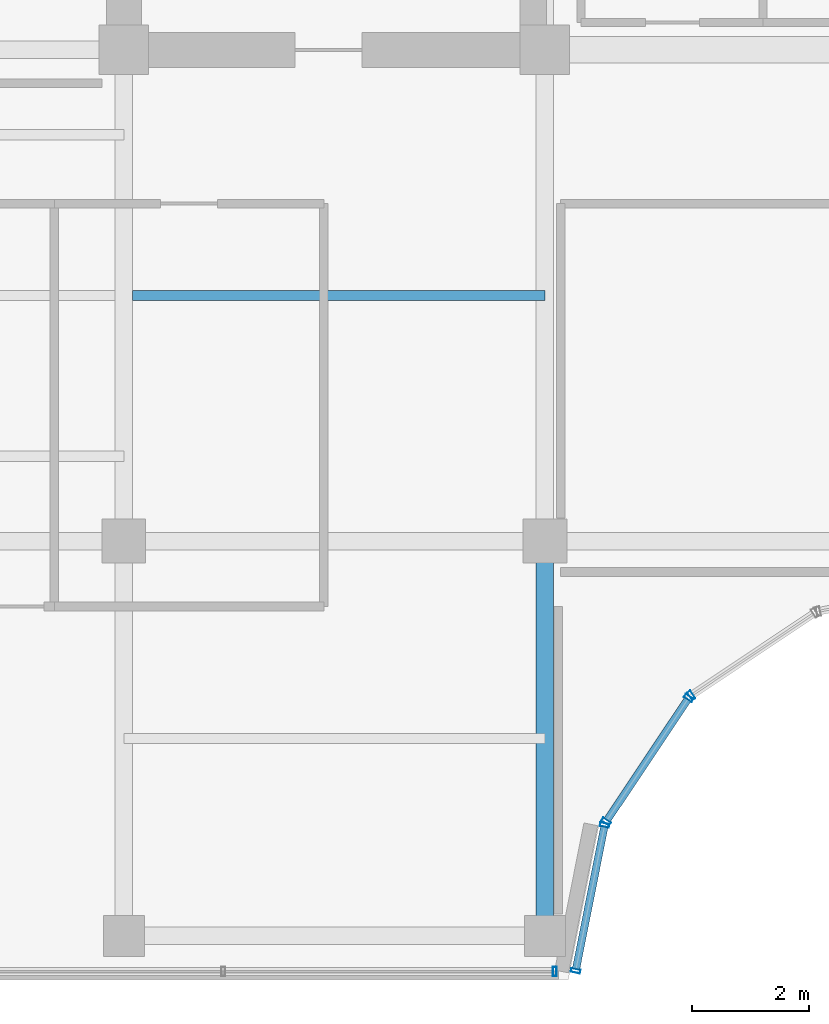
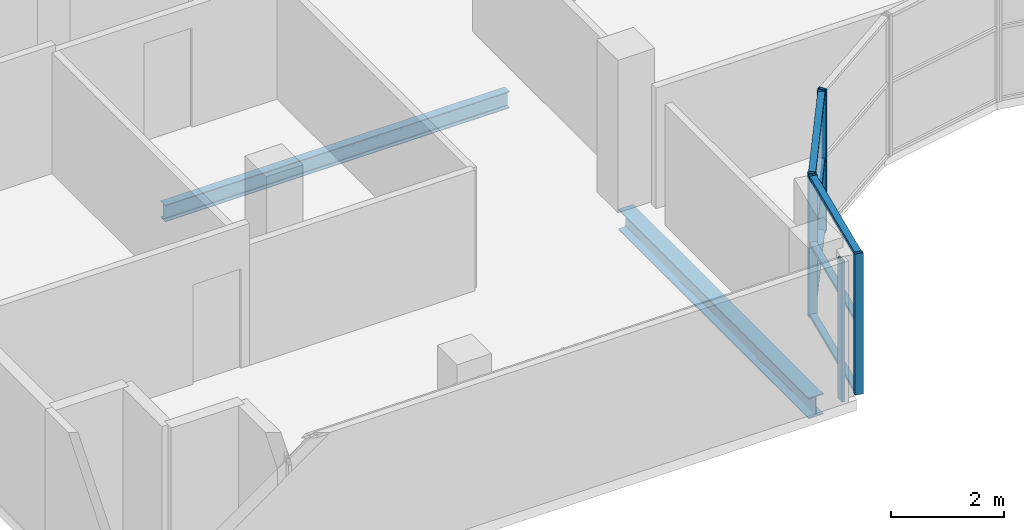
# One storey, part 5 of 28: 12 members, 2 beams, 4 elements without a shape of their own.
"""IFC4 building model written with IfcOpenShell, lengths in metres."""

from ifc_helpers import new_model, si_unit, direction, frame, origin, origin_2d, place, context, subcontext, project, spatial, hollow_rectangle, i_section, extrude, source, transform, mapped, material, layer, layer_set, material_profile, profile_set, type_object, element, aggregate, save


model = new_model("IFC4")

# Units and contexts
model_context = context("Model", 3, precision=1e-05, world=origin(), true_north=direction((0.0, 1.0)))
body_context = subcontext(model_context, "Body", "Model", "MODEL_VIEW")
ifc_project = project(units=[si_unit("LENGTHUNIT", "METRE"), si_unit("AREAUNIT", "SQUARE_METRE"), si_unit("VOLUMEUNIT", "CUBIC_METRE"), si_unit("PLANEANGLEUNIT", "RADIAN"), si_unit("MASSUNIT", "GRAM", prefix="KILO")], contexts=[model_context])

# Site, building, storey
site_placement = place(None, origin())
site = spatial("IfcSite", under=ifc_project, at=site_placement, CompositionType="ELEMENT")
building_placement = place(site_placement, origin())
building = spatial("IfcBuilding", under=site, at=building_placement, Name="Zarnakvel Exchange Tower", CompositionType="ELEMENT")
storey_placement = place(building_placement, frame((0.0, 0.0, 261.699951171875)))
storey = spatial("IfcBuildingStorey", under=building, at=storey_placement, Name="L74", CompositionType="ELEMENT", Elevation=261.699951171875)

# Beams
ifc_material_1 = material(Name="Steel S355", Category="steel")
ifc_material_profile_1 = material_profile(ifc_material_1, i_section(OverallWidth=0.169921875, OverallDepth=0.360107421875, WebThickness=0.008056640625, FlangeThickness=0.0126953125, FilletRadius=0.01806640625, at=origin_2d()))
ifc_profile_set_1 = profile_set([ifc_material_profile_1], Name="Steel S355")
beam_type_1 = type_object("IfcBeamType", Name="B-07", PredefinedType="JOIST", material=ifc_profile_set_1)
beam_1_placement = place(storey_placement, frame((-14.25, -5.39990234375, -0.405029296875), z_axis=(1.0, 0.0, 0.0), x_axis=(0.0, 1.0, 0.0)))
element("IfcBeam", 1, at=beam_1_placement, inside=storey, type_object=beam_type_1, Name="L74 Composite Floor Secondary Joist", PredefinedType="JOIST", context=body_context, shape_type="SweptSolid", body=[
    extrude(i_section(OverallWidth=0.169921875, OverallDepth=0.360107421875, WebThickness=0.008056640625, FlangeThickness=0.0126953125, FilletRadius=0.01806640625, at=origin_2d()), origin(), (0.0, 0.0, 1.0), 7.050048828125),
])
ifc_material_profile_2 = material_profile(ifc_material_1, i_section(OverallWidth=0.300048828125, OverallDepth=0.449951171875, WebThickness=0.013916015625, FlangeThickness=0.02587890625, FilletRadius=0.027099609375, at=origin_2d()))
ifc_profile_set_2 = profile_set([ifc_material_profile_2], Name="Steel S355")
beam_type_2 = type_object("IfcBeamType", Name="G-07", PredefinedType="BEAM", material=ifc_profile_set_2)
beam_2_placement = place(storey_placement, frame((-7.199951171875, -16.35009765625, -0.449951171875), z_axis=(0.0, 1.0, 0.0), x_axis=(-1.0, 0.0, 0.0)))
element("IfcBeam", 2, at=beam_2_placement, inside=storey, type_object=beam_type_2, Name="L74 Tower N-S Frame Beam", PredefinedType="BEAM", context=body_context, shape_type="SweptSolid", body=[
    extrude(i_section(OverallWidth=0.300048828125, OverallDepth=0.449951171875, WebThickness=0.013916015625, FlangeThickness=0.02587890625, FilletRadius=0.027099609375, at=origin_2d()), origin(), (0.0, 0.0, 1.0), 6.75),
])

# Curtain wall, members
ifc_material_2 = material(Name="Architectural Bronze Anodised Aluminium", Category="aluminium")
ifc_layer = layer(ifc_material_2, 0.159912109375)
ifc_layer_set = layer_set([ifc_layer], Name="Architectural Bronze Anodised Aluminium")
curtain_wall_type = type_object("IfcCurtainWallType", Name="CW-06", PredefinedType="NOTDEFINED", material=ifc_layer_set)
curtain_wall_1_placement = place(storey_placement, origin())
curtain_wall_1 = element("IfcCurtainWall", 3, at=curtain_wall_1_placement, inside=storey, type_object=curtain_wall_type, Name="L74 Curtain Wall CW-L74-NC1 (CW-06)", PredefinedType="NOTDEFINED")
ifc_material_profile_3 = material_profile(ifc_material_2, hollow_rectangle(XDim=0.1298828125, YDim=0.06494140625, WallThickness=0.00390625, at=origin_2d()))
ifc_profile_set_3 = profile_set([ifc_material_profile_3], Name="Architectural Bronze Anodised Aluminium")
member_type_1 = type_object("IfcMemberType", Name="CWT-06", PredefinedType="USERDEFINED", material=ifc_profile_set_3)
shared_shape_1 = source(origin(), body_context, "Body", "SweptSolid", [
    extrude(hollow_rectangle(XDim=0.1298828125, YDim=0.06494140625, WallThickness=0.00390625, at=origin_2d()), origin(), (0.0, 0.0, 1.0), 2.4765625),
])
member_1_placement = place(storey_placement, frame((-6.667236328125, -16.916259765625, 0.032470703125), z_axis=(0.195092299863, 0.980784886983, 0.0), x_axis=(-0.980784886983, 0.195092299863, 0.0)))
member_1 = element("IfcMember", 4, at=member_1_placement, type_object=member_type_1, Name="CW-06 transom 1.1", ObjectType="TRANSOM", PredefinedType="USERDEFINED", context=body_context, shape_type="MappedRepresentation", body=[
    mapped(shared_shape_1, transform((0.0, 0.0, 0.0), x_axis=(1.0, 0.0, 0.0), y_axis=(0.0, 1.0, 0.0), z_axis=(0.0, 0.0, 1.0), scale=1.0)),
])
member_2_placement = place(storey_placement, frame((-6.667236328125, -16.916259765625, 1.588623046875), z_axis=(0.195092299863, 0.980784886983, 0.0), x_axis=(-0.980784886983, 0.195092299863, 0.0)))
member_2 = element("IfcMember", 5, at=member_2_placement, type_object=member_type_1, Name="CW-06 transom 1.2", ObjectType="TRANSOM", PredefinedType="USERDEFINED", context=body_context, shape_type="MappedRepresentation", body=[
    mapped(shared_shape_1, transform((0.0, 0.0, 0.0), x_axis=(1.0, 0.0, 0.0), y_axis=(0.0, 1.0, 0.0), z_axis=(0.0, 0.0, 1.0), scale=1.0)),
])
member_3_placement = place(storey_placement, frame((-6.667236328125, -16.916259765625, 3.0224609375), z_axis=(0.195092299863, 0.980784886983, 0.0), x_axis=(-0.980784886983, 0.195092299863, 0.0)))
member_3 = element("IfcMember", 6, at=member_3_placement, type_object=member_type_1, Name="CW-06 transom 1.3", ObjectType="TRANSOM", PredefinedType="USERDEFINED", context=body_context, shape_type="MappedRepresentation", body=[
    mapped(shared_shape_1, transform((0.0, 0.0, 0.0), x_axis=(1.0, 0.0, 0.0), y_axis=(0.0, 1.0, 0.0), z_axis=(0.0, 0.0, 1.0), scale=1.0)),
])

curtain_wall_2_placement = place(storey_placement, origin())
curtain_wall_2 = element("IfcCurtainWall", 7, at=curtain_wall_2_placement, inside=storey, type_object=curtain_wall_type, Name="L74 Curtain Wall CW-L74-NC2 (CW-06)", PredefinedType="NOTDEFINED")
member_4_placement = place(storey_placement, frame((-6.135498046875, -14.36962890625, 0.032470703125), z_axis=(0.555609854963, 0.831443136401, 0.0), x_axis=(-0.831443136401, 0.555609854963, 0.0)))
member_4 = element("IfcMember", 8, at=member_4_placement, type_object=member_type_1, Name="CW-06 transom 1.1", ObjectType="TRANSOM", PredefinedType="USERDEFINED", context=body_context, shape_type="MappedRepresentation", body=[
    mapped(shared_shape_1, transform((0.0, 0.0, 0.0), x_axis=(1.0, 0.0, 0.0), y_axis=(0.0, 1.0, 0.0), z_axis=(0.0, 0.0, 1.0), scale=1.0)),
])
member_5_placement = place(storey_placement, frame((-6.135498046875, -14.36962890625, 1.588623046875), z_axis=(0.555609854963, 0.831443136401, 0.0), x_axis=(-0.831443136401, 0.555609854963, 0.0)))
member_5 = element("IfcMember", 9, at=member_5_placement, type_object=member_type_1, Name="CW-06 transom 1.2", ObjectType="TRANSOM", PredefinedType="USERDEFINED", context=body_context, shape_type="MappedRepresentation", body=[
    mapped(shared_shape_1, transform((0.0, 0.0, 0.0), x_axis=(1.0, 0.0, 0.0), y_axis=(0.0, 1.0, 0.0), z_axis=(0.0, 0.0, 1.0), scale=1.0)),
])
member_6_placement = place(storey_placement, frame((-6.135498046875, -14.36962890625, 3.0224609375), z_axis=(0.555609854963, 0.831443136401, 0.0), x_axis=(-0.831443136401, 0.555609854963, 0.0)))
member_6 = element("IfcMember", 10, at=member_6_placement, type_object=member_type_1, Name="CW-06 transom 1.3", ObjectType="TRANSOM", PredefinedType="USERDEFINED", context=body_context, shape_type="MappedRepresentation", body=[
    mapped(shared_shape_1, transform((0.0, 0.0, 0.0), x_axis=(1.0, 0.0, 0.0), y_axis=(0.0, 1.0, 0.0), z_axis=(0.0, 0.0, 1.0), scale=1.0)),
])

# Member
ifc_material_profile_4 = material_profile(ifc_material_2, hollow_rectangle(XDim=0.159912109375, YDim=0.06494140625, WallThickness=0.00390625, at=origin_2d()))
ifc_profile_set_4 = profile_set([ifc_material_profile_4], Name="Architectural Bronze Anodised Aluminium")
member_type_2 = type_object("IfcMemberType", Name="CWM-06", PredefinedType="MULLION", material=ifc_profile_set_4)
shared_shape_2 = source(origin(), body_context, "Body", "SweptSolid", [
    extrude(hollow_rectangle(XDim=0.159912109375, YDim=0.06494140625, WallThickness=0.00390625, at=origin_2d()), origin(), (0.0, 0.0, 1.0), 3.054931640625),
])
member_7_placement = place(storey_placement, frame((-6.673583984375, -16.9482421875, 0.0), z_axis=(0.0, 0.0, 1.0), x_axis=(-0.980785255264, 0.195090448398, 0.0)))
member_7 = element("IfcMember", 11, at=member_7_placement, type_object=member_type_2, Name="CW-06 mullion 1", PredefinedType="MULLION", context=body_context, shape_type="MappedRepresentation", body=[
    mapped(shared_shape_2, transform((0.0, 0.0, 0.0), x_axis=(1.0, 0.0, 0.0), y_axis=(0.0, 1.0, 0.0), z_axis=(0.0, 0.0, 1.0), scale=1.0)),
])

member_8_placement = place(storey_placement, frame((-6.177734375, -14.45556640625, 0.0), z_axis=(0.0, 0.0, 1.0), x_axis=(-0.980785255264, 0.195090448398, 0.0)))
member_8 = element("IfcMember", 12, at=member_8_placement, type_object=member_type_2, Name="CW-06 mullion 2", PredefinedType="MULLION", context=body_context, shape_type="MappedRepresentation", body=[
    mapped(shared_shape_2, transform((0.0, 0.0, 0.0), x_axis=(1.0, 0.0, 0.0), y_axis=(0.0, 1.0, 0.0), z_axis=(0.0, 0.0, 1.0), scale=1.0)),
])

aggregate(curtain_wall_1, [member_7, member_8, member_1, member_2, member_3])

member_9_placement = place(storey_placement, frame((-6.153564453125, -14.396728515625, 0.0), z_axis=(0.0, 0.0, 1.0), x_axis=(-0.831469612089, 0.555570233339, 0.0)))
member_9 = element("IfcMember", 13, at=member_9_placement, type_object=member_type_2, Name="CW-06 mullion 1", PredefinedType="MULLION", context=body_context, shape_type="MappedRepresentation", body=[
    mapped(shared_shape_2, transform((0.0, 0.0, 0.0), x_axis=(1.0, 0.0, 0.0), y_axis=(0.0, 1.0, 0.0), z_axis=(0.0, 0.0, 1.0), scale=1.0)),
])

member_10_placement = place(storey_placement, frame((-4.741455078125, -12.283447265625, 0.0), z_axis=(0.0, 0.0, 1.0), x_axis=(-0.831469612089, 0.555570233339, 0.0)))
member_10 = element("IfcMember", 14, at=member_10_placement, type_object=member_type_2, Name="CW-06 mullion 2", PredefinedType="MULLION", context=body_context, shape_type="MappedRepresentation", body=[
    mapped(shared_shape_2, transform((0.0, 0.0, 0.0), x_axis=(1.0, 0.0, 0.0), y_axis=(0.0, 1.0, 0.0), z_axis=(0.0, 0.0, 1.0), scale=1.0)),
])

aggregate(curtain_wall_2, [member_9, member_10, member_4, member_5, member_6])

# Curtain wall, member
curtain_wall_3_placement = place(storey_placement, origin())
curtain_wall_3 = element("IfcCurtainWall", 15, at=curtain_wall_3_placement, inside=storey, type_object=curtain_wall_type, Name="L74 Curtain Wall CW-L74-NC3 (CW-06)", PredefinedType="NOTDEFINED")
member_11_placement = place(storey_placement, frame((-4.696533203125, -12.238525390625, 0.0), z_axis=(0.0, 0.0, 1.0), x_axis=(-0.555570233339, 0.831469612089, 0.0)))
member_11 = element("IfcMember", 16, at=member_11_placement, type_object=member_type_2, Name="CW-06 mullion 1", PredefinedType="MULLION", context=body_context, shape_type="MappedRepresentation", body=[
    mapped(shared_shape_2, transform((0.0, 0.0, 0.0), x_axis=(1.0, 0.0, 0.0), y_axis=(0.0, 1.0, 0.0), z_axis=(0.0, 0.0, 1.0), scale=1.0)),
])
aggregate(curtain_wall_3, [member_11])

curtain_wall_4_placement = place(storey_placement, origin())
curtain_wall_4 = element("IfcCurtainWall", 17, at=curtain_wall_4_placement, inside=storey, type_object=curtain_wall_type, Name="L74 Curtain Wall CW-L74-NSW (CW-06)", PredefinedType="NOTDEFINED")
member_12_placement = place(storey_placement, frame((-7.032470703125, -16.9599609375, 0.0), z_axis=(0.0, 0.0, 1.0), x_axis=(0.0, 1.0, 0.0)))
member_12 = element("IfcMember", 18, at=member_12_placement, type_object=member_type_2, Name="CW-06 mullion 3", PredefinedType="MULLION", context=body_context, shape_type="MappedRepresentation", body=[
    mapped(shared_shape_2, transform((0.0, 0.0, 0.0), x_axis=(1.0, 0.0, 0.0), y_axis=(0.0, 1.0, 0.0), z_axis=(0.0, 0.0, 1.0), scale=1.0)),
])
aggregate(curtain_wall_4, [member_12])

save(model, "model.ifc")
